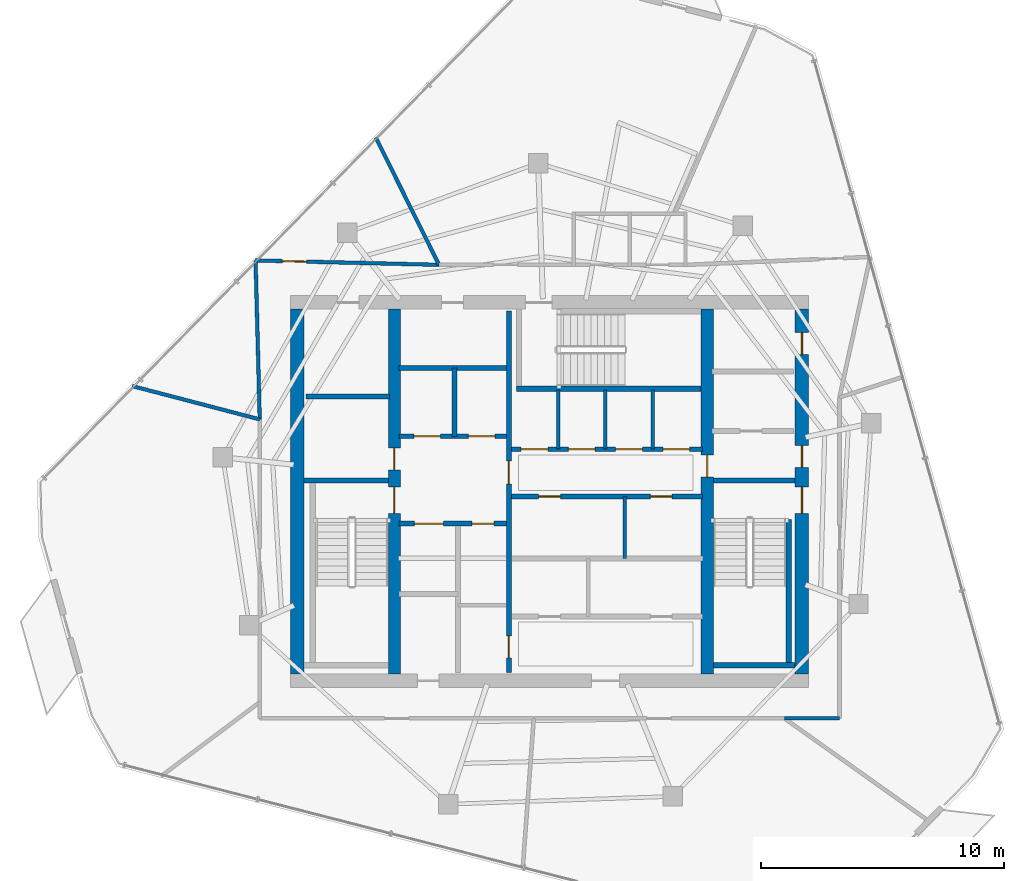
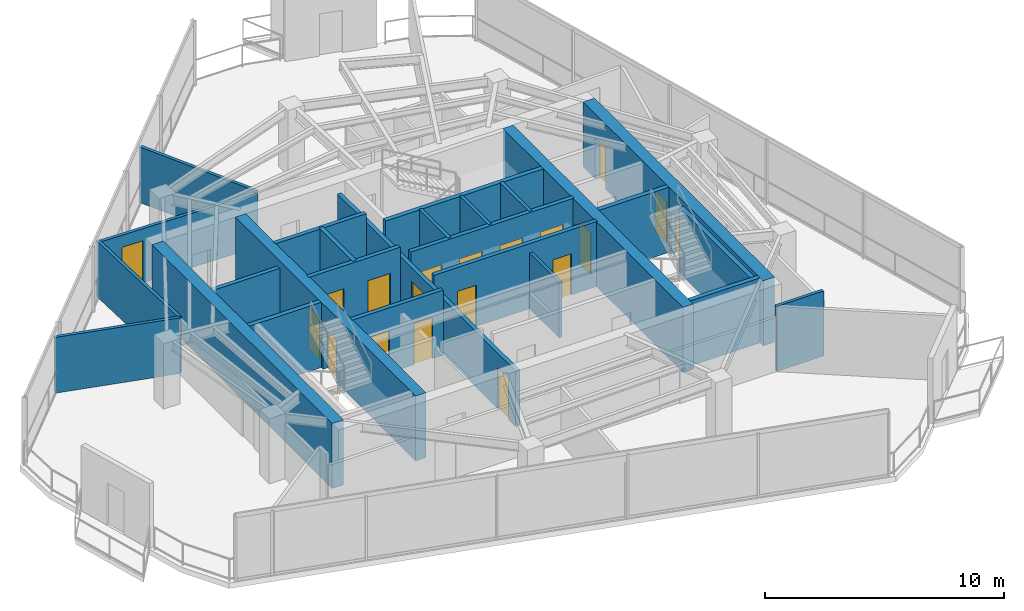
# One storey, part 15 of 18: 26 walls, 19 doors, 19 openings.
"""IFC4 building model written with IfcOpenShell, lengths in metres."""

from ifc_helpers import new_model, si_unit, direction, frame, frame_2d, origin, place, context, subcontext, project, spatial, rectangle, extrude, material, layer, layer_set, type_object, element, fill, save


model = new_model("IFC4")

# Units and contexts
model_context = context("Model", 3, precision=1e-05, world=origin(), true_north=direction((0.0, 1.0)))
body_context = subcontext(model_context, "Body", "Model", "MODEL_VIEW")
ifc_project = project(units=[si_unit("LENGTHUNIT", "METRE"), si_unit("AREAUNIT", "SQUARE_METRE"), si_unit("VOLUMEUNIT", "CUBIC_METRE"), si_unit("PLANEANGLEUNIT", "RADIAN"), si_unit("MASSUNIT", "GRAM", prefix="KILO")], contexts=[model_context])

# Site, building, storey
site_placement = place(None, origin())
site = spatial("IfcSite", under=ifc_project, at=site_placement, CompositionType="ELEMENT")
building_placement = place(site_placement, origin())
building = spatial("IfcBuilding", under=site, at=building_placement, Name="Qarnah Convention Tower", CompositionType="ELEMENT")
storey_placement = place(building_placement, frame((0.0, 0.0, 239.10009765625)))
storey = spatial("IfcBuildingStorey", under=building, at=storey_placement, Name="L64", CompositionType="ELEMENT", Elevation=239.10009765625)

# Wall
ifc_material_1 = material(Name="Concrete C60/75", Category="concrete")
ifc_layer_1 = layer(ifc_material_1, 0.550048828125)
ifc_layer_set_1 = layer_set([ifc_layer_1], Name="Concrete C60/75")
wall_type_1 = type_object("IfcWallType", Name="WL-CORE-550", PredefinedType="SHEAR", material=ifc_layer_set_1)
wall_1_placement = place(storey_placement, frame((26.800048828125, 18.875, 0.0), z_axis=(0.0, 0.0, 1.0), x_axis=(0.0, 1.0, 0.0)))
element("IfcWall", 1, at=wall_1_placement, inside=storey, type_object=wall_type_1, Name="L64 core west shear wall", PredefinedType="SHEAR", context=body_context, shape_type="SweptSolid", body=[
    extrude(rectangle(XDim=15.050048828125, YDim=0.550048828125, at=frame_2d((7.52490234375, 0.0))), origin(), (0.0, 0.0, 1.0), 3.31982421875),
])

# Wall, openings, doors
wall_2_placement = place(storey_placement, frame((47.60009765625, 18.875, 0.0), z_axis=(0.0, 0.0, 1.0), x_axis=(0.0, 1.0, 0.0)))
wall_2 = element("IfcWall", 2, at=wall_2_placement, inside=storey, type_object=wall_type_1, Name="L64 core east shear wall", PredefinedType="SHEAR", context=body_context, shape_type="SweptSolid", body=[
    extrude(rectangle(XDim=15.050048828125, YDim=0.550048828125, at=frame_2d((7.52490234375, 0.0))), origin(), (0.0, 0.0, 1.0), 3.31982421875),
])
opening_1_placement = place(wall_2_placement, frame((6.625, 0.0, 0.0)))
opening_1 = element("IfcOpeningElement", 3, at=opening_1_placement, cuts=wall_2, Name="Opening D-6402", PredefinedType="OPENING", context=body_context, shape_type="SweptSolid", body=[
    extrude(rectangle(XDim=1.10009765625, YDim=2.14990234375, at=frame_2d((0.550048828125, 1.074951171875))), frame((0.0, 0.284912109375, 0.0), z_axis=(0.0, -1.0, 0.0), x_axis=(1.0, 0.0, 0.0)), (0.0, 0.0, 1.0), 0.570068359375),
])
opening_2_placement = place(wall_2_placement, frame((8.52490234375, 0.0, 0.0)))
opening_2 = element("IfcOpeningElement", 4, at=opening_2_placement, cuts=wall_2, Name="Opening D-6406", PredefinedType="OPENING", context=body_context, shape_type="SweptSolid", body=[
    extrude(rectangle(XDim=0.89990234375, YDim=2.10009765625, at=frame_2d((0.449951171875, 1.050048828125))), frame((0.0, 0.284912109375, 0.0), z_axis=(0.0, -1.0, 0.0), x_axis=(1.0, 0.0, 0.0)), (0.0, 0.0, 1.0), 0.570068359375),
])
opening_3_placement = place(wall_2_placement, frame((13.175048828125, 0.0, 0.0)))
opening_3 = element("IfcOpeningElement", 5, at=opening_3_placement, cuts=wall_2, Name="Opening D-6412", PredefinedType="OPENING", context=body_context, shape_type="SweptSolid", body=[
    extrude(rectangle(XDim=0.89990234375, YDim=2.10009765625, at=frame_2d((0.449951171875, 1.050048828125))), frame((0.0, 0.284912109375, 0.0), z_axis=(0.0, -1.0, 0.0), x_axis=(1.0, 0.0, 0.0)), (0.0, 0.0, 1.0), 0.570068359375),
])
ifc_material_2 = material(Name="Structural steel S355JR", Category="steel")
door_type_1 = type_object("IfcDoorType", Name="DT-RISER-900", OperationType="NOTDEFINED", PredefinedType="DOOR", material=ifc_material_2)
door_1_placement = place(opening_2_placement, origin())
door_1 = element("IfcDoor", 6, at=door_1_placement, inside=storey, type_object=door_type_1, Name="Door D-6406", OperationType="SINGLE_SWING_LEFT", OverallHeight=2.10009765625, OverallWidth=0.89990234375, PredefinedType="DOOR", context=body_context, shape_type="SweptSolid", body=[
    extrude(rectangle(XDim=0.89990234375, YDim=2.10009765625, at=frame_2d((0.449951171875, 1.050048828125))), frame((0.0, 0.02490234375, 0.0), z_axis=(0.0, -1.0, 0.0), x_axis=(1.0, 0.0, 0.0)), (0.0, 0.0, 1.0), 0.050048828125),
])
fill(opening_2, door_1)
door_2_placement = place(opening_3_placement, origin())
door_2 = element("IfcDoor", 7, at=door_2_placement, inside=storey, type_object=door_type_1, Name="Door D-6412", OperationType="SINGLE_SWING_LEFT", OverallHeight=2.10009765625, OverallWidth=0.89990234375, PredefinedType="DOOR", context=body_context, shape_type="SweptSolid", body=[
    extrude(rectangle(XDim=0.89990234375, YDim=2.10009765625, at=frame_2d((0.449951171875, 1.050048828125))), frame((0.0, 0.02490234375, 0.0), z_axis=(0.0, -1.0, 0.0), x_axis=(1.0, 0.0, 0.0)), (0.0, 0.0, 1.0), 0.050048828125),
])
fill(opening_3, door_2)
door_type_2 = type_object("IfcDoorType", Name="DT-STAIR-1100", OperationType="NOTDEFINED", PredefinedType="DOOR", material=ifc_material_2)
door_3_placement = place(opening_1_placement, origin())
door_3 = element("IfcDoor", 8, at=door_3_placement, inside=storey, type_object=door_type_2, Name="Door D-6402", OperationType="SINGLE_SWING_LEFT", OverallHeight=2.14990234375, OverallWidth=1.10009765625, PredefinedType="DOOR", context=body_context, shape_type="SweptSolid", body=[
    extrude(rectangle(XDim=1.10009765625, YDim=2.14990234375, at=frame_2d((0.550048828125, 1.074951171875))), frame((0.0, 0.02490234375, 0.0), z_axis=(0.0, -1.0, 0.0), x_axis=(1.0, 0.0, 0.0)), (0.0, 0.0, 1.0), 0.050048828125),
])
fill(opening_1, door_3)

ifc_layer_2 = layer(ifc_material_1, 0.5)
ifc_layer_set_2 = layer_set([ifc_layer_2], Name="Concrete C60/75")
wall_type_2 = type_object("IfcWallType", Name="WL-CORE-INT-400", PredefinedType="SHEAR", material=ifc_layer_set_2)
wall_3_placement = place(storey_placement, frame((30.800048828125, 18.875, 0.0), z_axis=(0.0, 0.0, 1.0), x_axis=(0.0, 1.0, 0.0)))
wall_3 = element("IfcWall", 9, at=wall_3_placement, inside=storey, type_object=wall_type_2, Name="L64 core west spine shear wall", PredefinedType="SHEAR", context=body_context, shape_type="SweptSolid", body=[
    extrude(rectangle(XDim=15.050048828125, YDim=0.5, at=frame_2d((7.52490234375, 0.0))), origin(), (0.0, 0.0, 1.0), 3.31982421875),
])
opening_4_placement = place(wall_3_placement, frame((6.625, 0.0, 0.0)))
opening_4 = element("IfcOpeningElement", 10, at=opening_4_placement, cuts=wall_3, Name="Opening D-6401", PredefinedType="OPENING", context=body_context, shape_type="SweptSolid", body=[
    extrude(rectangle(XDim=1.10009765625, YDim=2.14990234375, at=frame_2d((0.550048828125, 1.074951171875))), frame((0.0, 0.260009765625, 0.0), z_axis=(0.0, -1.0, 0.0), x_axis=(1.0, 0.0, 0.0)), (0.0, 0.0, 1.0), 0.52001953125),
])
opening_5_placement = place(wall_3_placement, frame((8.425048828125, 0.0, 0.0)))
opening_5 = element("IfcOpeningElement", 11, at=opening_5_placement, cuts=wall_3, Name="Opening D-6408", PredefinedType="OPENING", context=body_context, shape_type="SweptSolid", body=[
    extrude(rectangle(XDim=0.89990234375, YDim=2.10009765625, at=frame_2d((0.449951171875, 1.050048828125))), frame((0.0, 0.260009765625, 0.0), z_axis=(0.0, -1.0, 0.0), x_axis=(1.0, 0.0, 0.0)), (0.0, 0.0, 1.0), 0.52001953125),
])
door_4_placement = place(opening_5_placement, origin())
door_4 = element("IfcDoor", 12, at=door_4_placement, inside=storey, type_object=door_type_1, Name="Door D-6408", OperationType="SINGLE_SWING_LEFT", OverallHeight=2.10009765625, OverallWidth=0.89990234375, PredefinedType="DOOR", context=body_context, shape_type="SweptSolid", body=[
    extrude(rectangle(XDim=0.89990234375, YDim=2.10009765625, at=frame_2d((0.449951171875, 1.050048828125))), frame((0.0, 0.02490234375, 0.0), z_axis=(0.0, -1.0, 0.0), x_axis=(1.0, 0.0, 0.0)), (0.0, 0.0, 1.0), 0.050048828125),
])
fill(opening_5, door_4)
door_5_placement = place(opening_4_placement, origin())
door_5 = element("IfcDoor", 13, at=door_5_placement, inside=storey, type_object=door_type_2, Name="Door D-6401", OperationType="SINGLE_SWING_RIGHT", OverallHeight=2.14990234375, OverallWidth=1.10009765625, PredefinedType="DOOR", context=body_context, shape_type="SweptSolid", body=[
    extrude(rectangle(XDim=1.10009765625, YDim=2.14990234375, at=frame_2d((0.550048828125, 1.074951171875))), frame((0.0, 0.02490234375, 0.0), z_axis=(0.0, -1.0, 0.0), x_axis=(1.0, 0.0, 0.0)), (0.0, 0.0, 1.0), 0.050048828125),
])
fill(opening_4, door_5)

# Wall, opening, door
wall_4_placement = place(storey_placement, frame((43.699951171875, 18.875, 0.0), z_axis=(0.0, 0.0, 1.0), x_axis=(0.0, 1.0, 0.0)))
wall_4 = element("IfcWall", 14, at=wall_4_placement, inside=storey, type_object=wall_type_2, Name="L64 core east spine shear wall", PredefinedType="SHEAR", context=body_context, shape_type="SweptSolid", body=[
    extrude(rectangle(XDim=15.050048828125, YDim=0.5, at=frame_2d((7.52490234375, 0.0))), origin(), (0.0, 0.0, 1.0), 3.31982421875),
])
opening_6_placement = place(wall_4_placement, frame((8.125, 0.0, 0.0)))
opening_6 = element("IfcOpeningElement", 15, at=opening_6_placement, cuts=wall_4, Name="Opening D-6405", PredefinedType="OPENING", context=body_context, shape_type="SweptSolid", body=[
    extrude(rectangle(XDim=0.89990234375, YDim=2.10009765625, at=frame_2d((0.449951171875, 1.050048828125))), frame((0.0, 0.260009765625, 0.0), z_axis=(0.0, -1.0, 0.0), x_axis=(1.0, 0.0, 0.0)), (0.0, 0.0, 1.0), 0.52001953125),
])
door_6_placement = place(opening_6_placement, origin())
door_6 = element("IfcDoor", 16, at=door_6_placement, inside=storey, type_object=door_type_1, Name="Door D-6405", OperationType="SINGLE_SWING_RIGHT", OverallHeight=2.10009765625, OverallWidth=0.89990234375, PredefinedType="DOOR", context=body_context, shape_type="SweptSolid", body=[
    extrude(rectangle(XDim=0.89990234375, YDim=2.10009765625, at=frame_2d((0.449951171875, 1.050048828125))), frame((0.0, 0.02490234375, 0.0), z_axis=(0.0, -1.0, 0.0), x_axis=(1.0, 0.0, 0.0)), (0.0, 0.0, 1.0), 0.050048828125),
])
fill(opening_6, door_6)

# Wall
ifc_material_3 = material(Name="Concrete C45/55", Category="concrete")
ifc_layer_3 = layer(ifc_material_3, 0.199951171875)
ifc_layer_set_3 = layer_set([ifc_layer_3], Name="Concrete C45/55")
wall_type_3 = type_object("IfcWallType", Name="WL-CORE-PART-200", PredefinedType="SOLIDWALL", material=ifc_layer_set_3)
wall_5_placement = place(storey_placement, frame((27.14990234375, 30.320068359375, 0.0), z_axis=(0.0, 0.0, 1.0), x_axis=(1.0, 0.0, 0.0)))
element("IfcWall", 17, at=wall_5_placement, inside=storey, type_object=wall_type_3, Name="L64 interior wall IW-L64-ELRN", PredefinedType="SOLIDWALL", context=body_context, shape_type="SweptSolid", body=[
    extrude(rectangle(XDim=3.4501953125, YDim=0.199951171875, at=frame_2d((1.72509765625, 0.0))), origin(), (0.0, 0.0, 1.0), 2.948974609375),
])

# Wall, openings, doors
wall_6_placement = place(storey_placement, frame((35.52001953125, 18.949951171875, 0.0), z_axis=(0.0, 0.0, 1.0), x_axis=(0.0, 1.0, 0.0)))
wall_6 = element("IfcWall", 18, at=wall_6_placement, inside=storey, type_object=wall_type_3, Name="L64 interior wall IW-L64-CSP", PredefinedType="SOLIDWALL", context=body_context, shape_type="SweptSolid", body=[
    extrude(rectangle(XDim=14.900146484375, YDim=0.199951171875, at=frame_2d((7.4501953125, 0.0))), origin(), (0.0, 0.0, 1.0), 2.8408203125),
])
opening_7_placement = place(wall_6_placement, frame((7.7548828125, 0.0, 0.0)))
opening_7 = element("IfcOpeningElement", 19, at=opening_7_placement, cuts=wall_6, Name="Opening D-6404", PredefinedType="OPENING", context=body_context, shape_type="SweptSolid", body=[
    extrude(rectangle(XDim=0.949951171875, YDim=2.14990234375, at=frame_2d((0.47509765625, 1.074951171875))), frame((0.0, 0.10986328125, 0.0), z_axis=(0.0, -1.0, 0.0), x_axis=(1.0, 0.0, 0.0)), (0.0, 0.0, 1.0), 0.219970703125),
])
opening_8_placement = place(wall_6_placement, frame((0.60009765625, 0.0, 0.0)))
opening_8 = element("IfcOpeningElement", 20, at=opening_8_placement, cuts=wall_6, Name="Opening D-6414", PredefinedType="OPENING", context=body_context, shape_type="SweptSolid", body=[
    extrude(rectangle(XDim=0.89990234375, YDim=2.10009765625, at=frame_2d((0.449951171875, 1.050048828125))), frame((0.0, 0.10986328125, 0.0), z_axis=(0.0, -1.0, 0.0), x_axis=(1.0, 0.0, 0.0)), (0.0, 0.0, 1.0), 0.219970703125),
])
ifc_material_4 = material(Name="Oak timber veneer", Category="wood")
door_type_3 = type_object("IfcDoorType", Name="DT-HOTEL-950", OperationType="NOTDEFINED", PredefinedType="DOOR", material=ifc_material_4)
door_7_placement = place(opening_7_placement, origin())
door_7 = element("IfcDoor", 21, at=door_7_placement, inside=storey, type_object=door_type_3, Name="Door D-6404", OperationType="SINGLE_SWING_LEFT", OverallHeight=2.14990234375, OverallWidth=0.949951171875, PredefinedType="DOOR", context=body_context, shape_type="SweptSolid", body=[
    extrude(rectangle(XDim=0.949951171875, YDim=2.14990234375, at=frame_2d((0.47509765625, 1.074951171875))), frame((0.0, 0.02490234375, 0.0), z_axis=(0.0, -1.0, 0.0), x_axis=(1.0, 0.0, 0.0)), (0.0, 0.0, 1.0), 0.050048828125),
])
fill(opening_7, door_7)
door_8_placement = place(opening_8_placement, origin())
door_8 = element("IfcDoor", 22, at=door_8_placement, inside=storey, type_object=door_type_1, Name="Door D-6414", OperationType="SINGLE_SWING_LEFT", OverallHeight=2.10009765625, OverallWidth=0.89990234375, PredefinedType="DOOR", context=body_context, shape_type="SweptSolid", body=[
    extrude(rectangle(XDim=0.89990234375, YDim=2.10009765625, at=frame_2d((0.449951171875, 1.050048828125))), frame((0.0, 0.02490234375, 0.0), z_axis=(0.0, -1.0, 0.0), x_axis=(1.0, 0.0, 0.0)), (0.0, 0.0, 1.0), 0.050048828125),
])
fill(opening_8, door_8)

wall_7_placement = place(storey_placement, frame((31.0, 28.679931640625, 0.0), z_axis=(0.0, 0.0, 1.0), x_axis=(1.0, 0.0, 0.0)))
wall_7 = element("IfcWall", 23, at=wall_7_placement, inside=storey, type_object=wall_type_3, Name="L64 interior wall IW-L64-FFLS", PredefinedType="SOLIDWALL", context=body_context, shape_type="SweptSolid", body=[
    extrude(rectangle(XDim=4.419921875, YDim=0.199951171875, at=frame_2d((2.2099609375, 0.0))), origin(), (0.0, 0.0, 1.0), 3.31982421875),
])
opening_9_placement = place(wall_7_placement, frame((0.60009765625, 0.0, 0.0)))
opening_9 = element("IfcOpeningElement", 24, at=opening_9_placement, cuts=wall_7, Name="Opening LD-6401", PredefinedType="OPENING", context=body_context, shape_type="SweptSolid", body=[
    extrude(rectangle(XDim=1.10009765625, YDim=2.14990234375, at=frame_2d((0.550048828125, 1.074951171875))), frame((0.0, 0.10986328125, 0.0), z_axis=(0.0, -1.0, 0.0), x_axis=(1.0, 0.0, 0.0)), (0.0, 0.0, 1.0), 0.219970703125),
])
opening_10_placement = place(wall_7_placement, frame((2.85009765625, 0.0, 0.0)))
opening_10 = element("IfcOpeningElement", 25, at=opening_10_placement, cuts=wall_7, Name="Opening LD-6402", PredefinedType="OPENING", context=body_context, shape_type="SweptSolid", body=[
    extrude(rectangle(XDim=1.10009765625, YDim=2.14990234375, at=frame_2d((0.550048828125, 1.074951171875))), frame((0.0, 0.10986328125, 0.0), z_axis=(0.0, -1.0, 0.0), x_axis=(1.0, 0.0, 0.0)), (0.0, 0.0, 1.0), 0.219970703125),
])
door_type_4 = type_object("IfcDoorType", Name="DT-LIFT-1100", OperationType="SLIDING_TO_LEFT", PredefinedType="DOOR", material=ifc_material_2)
door_9_placement = place(opening_9_placement, origin())
door_9 = element("IfcDoor", 26, at=door_9_placement, inside=storey, type_object=door_type_4, Name="Door LD-6401", OperationType="SLIDING_TO_LEFT", OverallHeight=2.14990234375, OverallWidth=1.10009765625, PredefinedType="DOOR", context=body_context, shape_type="SweptSolid", body=[
    extrude(rectangle(XDim=1.10009765625, YDim=2.14990234375, at=frame_2d((0.550048828125, 1.074951171875))), frame((0.0, 0.02490234375, 0.0), z_axis=(0.0, -1.0, 0.0), x_axis=(1.0, 0.0, 0.0)), (0.0, 0.0, 1.0), 0.050048828125),
])
fill(opening_9, door_9)
door_10_placement = place(opening_10_placement, origin())
door_10 = element("IfcDoor", 27, at=door_10_placement, inside=storey, type_object=door_type_4, Name="Door LD-6402", OperationType="SLIDING_TO_LEFT", OverallHeight=2.14990234375, OverallWidth=1.10009765625, PredefinedType="DOOR", context=body_context, shape_type="SweptSolid", body=[
    extrude(rectangle(XDim=1.10009765625, YDim=2.14990234375, at=frame_2d((0.550048828125, 1.074951171875))), frame((0.0, 0.02490234375, 0.0), z_axis=(0.0, -1.0, 0.0), x_axis=(1.0, 0.0, 0.0)), (0.0, 0.0, 1.0), 0.050048828125),
])
fill(opening_10, door_10)

# Walls
wall_8_placement = place(storey_placement, frame((31.0, 31.5, 0.0), z_axis=(0.0, 0.0, 1.0), x_axis=(1.0, 0.0, 0.0)))
element("IfcWall", 28, at=wall_8_placement, inside=storey, type_object=wall_type_3, Name="L64 interior wall IW-L64-FFLN", PredefinedType="SOLIDWALL", context=body_context, shape_type="SweptSolid", body=[
    extrude(rectangle(XDim=4.419921875, YDim=0.199951171875, at=frame_2d((2.2099609375, 0.0))), origin(), (0.0, 0.0, 1.0), 3.31982421875),
])
wall_9_placement = place(storey_placement, frame((33.280029296875, 28.679931640625, 0.0), z_axis=(0.0, 0.0, 1.0), x_axis=(0.0, 1.0, 0.0)))
element("IfcWall", 29, at=wall_9_placement, inside=storey, type_object=wall_type_3, Name="L64 interior wall IW-L64-FFLM", PredefinedType="SOLIDWALL", context=body_context, shape_type="SweptSolid", body=[
    extrude(rectangle(XDim=2.820068359375, YDim=0.199951171875, at=frame_2d((1.41015625, 0.0))), origin(), (0.0, 0.0, 1.0), 3.31982421875),
])

# Wall, openings, doors
wall_10_placement = place(storey_placement, frame((31.0, 25.080078125, 0.0), z_axis=(0.0, 0.0, 1.0), x_axis=(1.0, 0.0, 0.0)))
wall_10 = element("IfcWall", 30, at=wall_10_placement, inside=storey, type_object=wall_type_3, Name="L64 interior wall IW-L64-FFLBS", PredefinedType="SOLIDWALL", context=body_context, shape_type="SweptSolid", body=[
    extrude(rectangle(XDim=4.419921875, YDim=0.199951171875, at=frame_2d((2.2099609375, 0.0))), origin(), (0.0, 0.0, 1.0), 3.31982421875),
])
opening_11_placement = place(wall_10_placement, frame((3.0, 0.0, 0.0)))
opening_11 = element("IfcOpeningElement", 31, at=opening_11_placement, cuts=wall_10, Name="Opening D-6415", PredefinedType="OPENING", context=body_context, shape_type="SweptSolid", body=[
    extrude(rectangle(XDim=0.89990234375, YDim=2.10009765625, at=frame_2d((0.449951171875, 1.050048828125))), frame((0.0, 0.10986328125, 0.0), z_axis=(0.0, -1.0, 0.0), x_axis=(1.0, 0.0, 0.0)), (0.0, 0.0, 1.0), 0.219970703125),
])
opening_12_placement = place(wall_10_placement, frame((0.6201171875, 0.0, 0.0)))
opening_12 = element("IfcOpeningElement", 32, at=opening_12_placement, cuts=wall_10, Name="Opening LD-6403", PredefinedType="OPENING", context=body_context, shape_type="SweptSolid", body=[
    extrude(rectangle(XDim=1.199951171875, YDim=2.14990234375, at=frame_2d((0.60009765625, 1.074951171875))), frame((0.0, 0.10986328125, 0.0), z_axis=(0.0, -1.0, 0.0), x_axis=(1.0, 0.0, 0.0)), (0.0, 0.0, 1.0), 0.219970703125),
])
door_type_5 = type_object("IfcDoorType", Name="DT-LIFT-1200", OperationType="SLIDING_TO_LEFT", PredefinedType="DOOR", material=ifc_material_2)
door_11_placement = place(opening_12_placement, origin())
door_11 = element("IfcDoor", 33, at=door_11_placement, inside=storey, type_object=door_type_5, Name="Door LD-6403", OperationType="SLIDING_TO_LEFT", OverallHeight=2.14990234375, OverallWidth=1.199951171875, PredefinedType="DOOR", context=body_context, shape_type="SweptSolid", body=[
    extrude(rectangle(XDim=1.199951171875, YDim=2.14990234375, at=frame_2d((0.60009765625, 1.074951171875))), frame((0.0, 0.02490234375, 0.0), z_axis=(0.0, -1.0, 0.0), x_axis=(1.0, 0.0, 0.0)), (0.0, 0.0, 1.0), 0.050048828125),
])
fill(opening_12, door_11)
door_12_placement = place(opening_11_placement, origin())
door_12 = element("IfcDoor", 34, at=door_12_placement, inside=storey, type_object=door_type_1, Name="Door D-6415", OperationType="SINGLE_SWING_RIGHT", OverallHeight=2.10009765625, OverallWidth=0.89990234375, PredefinedType="DOOR", context=body_context, shape_type="SweptSolid", body=[
    extrude(rectangle(XDim=0.89990234375, YDim=2.10009765625, at=frame_2d((0.449951171875, 1.050048828125))), frame((0.0, 0.02490234375, 0.0), z_axis=(0.0, -1.0, 0.0), x_axis=(1.0, 0.0, 0.0)), (0.0, 0.0, 1.0), 0.050048828125),
])
fill(opening_11, door_12)

wall_11_placement = place(storey_placement, frame((35.6201171875, 28.14990234375, 0.0), z_axis=(0.0, 0.0, 1.0), x_axis=(1.0, 0.0, 0.0)))
wall_11 = element("IfcWall", 35, at=wall_11_placement, inside=storey, type_object=wall_type_3, Name="L64 interior wall IW-L64-PHS", PredefinedType="SOLIDWALL", context=body_context, shape_type="SweptSolid", body=[
    extrude(rectangle(XDim=7.8798828125, YDim=0.199951171875, at=frame_2d((3.93994140625, 0.0))), origin(), (0.0, 0.0, 1.0), 3.31982421875),
])
opening_13_placement = place(wall_11_placement, frame((0.405029296875, 0.0, 0.0)))
opening_13 = element("IfcOpeningElement", 36, at=opening_13_placement, cuts=wall_11, Name="Opening LD-6404", PredefinedType="OPENING", context=body_context, shape_type="SweptSolid", body=[
    extrude(rectangle(XDim=1.10009765625, YDim=2.14990234375, at=frame_2d((0.550048828125, 1.074951171875))), frame((0.0, 0.10986328125, 0.0), z_axis=(0.0, -1.0, 0.0), x_axis=(1.0, 0.0, 0.0)), (0.0, 0.0, 1.0), 0.219970703125),
])
opening_14_placement = place(wall_11_placement, frame((2.35498046875, 0.0, 0.0)))
opening_14 = element("IfcOpeningElement", 37, at=opening_14_placement, cuts=wall_11, Name="Opening LD-6405", PredefinedType="OPENING", context=body_context, shape_type="SweptSolid", body=[
    extrude(rectangle(XDim=1.10009765625, YDim=2.14990234375, at=frame_2d((0.550048828125, 1.074951171875))), frame((0.0, 0.10986328125, 0.0), z_axis=(0.0, -1.0, 0.0), x_axis=(1.0, 0.0, 0.0)), (0.0, 0.0, 1.0), 0.219970703125),
])
opening_15_placement = place(wall_11_placement, frame((4.304931640625, 0.0, 0.0)))
opening_15 = element("IfcOpeningElement", 38, at=opening_15_placement, cuts=wall_11, Name="Opening LD-6406", PredefinedType="OPENING", context=body_context, shape_type="SweptSolid", body=[
    extrude(rectangle(XDim=1.10009765625, YDim=2.14990234375, at=frame_2d((0.550048828125, 1.074951171875))), frame((0.0, 0.10986328125, 0.0), z_axis=(0.0, -1.0, 0.0), x_axis=(1.0, 0.0, 0.0)), (0.0, 0.0, 1.0), 0.219970703125),
])
opening_16_placement = place(wall_11_placement, frame((6.2548828125, 0.0, 0.0)))
opening_16 = element("IfcOpeningElement", 39, at=opening_16_placement, cuts=wall_11, Name="Opening LD-6407", PredefinedType="OPENING", context=body_context, shape_type="SweptSolid", body=[
    extrude(rectangle(XDim=1.10009765625, YDim=2.14990234375, at=frame_2d((0.550048828125, 1.074951171875))), frame((0.0, 0.10986328125, 0.0), z_axis=(0.0, -1.0, 0.0), x_axis=(1.0, 0.0, 0.0)), (0.0, 0.0, 1.0), 0.219970703125),
])
door_13_placement = place(opening_13_placement, origin())
door_13 = element("IfcDoor", 40, at=door_13_placement, inside=storey, type_object=door_type_4, Name="Door LD-6404", OperationType="SLIDING_TO_LEFT", OverallHeight=2.14990234375, OverallWidth=1.10009765625, PredefinedType="DOOR", context=body_context, shape_type="SweptSolid", body=[
    extrude(rectangle(XDim=1.10009765625, YDim=2.14990234375, at=frame_2d((0.550048828125, 1.074951171875))), frame((0.0, 0.02490234375, 0.0), z_axis=(0.0, -1.0, 0.0), x_axis=(1.0, 0.0, 0.0)), (0.0, 0.0, 1.0), 0.050048828125),
])
fill(opening_13, door_13)
door_14_placement = place(opening_14_placement, origin())
door_14 = element("IfcDoor", 41, at=door_14_placement, inside=storey, type_object=door_type_4, Name="Door LD-6405", OperationType="SLIDING_TO_LEFT", OverallHeight=2.14990234375, OverallWidth=1.10009765625, PredefinedType="DOOR", context=body_context, shape_type="SweptSolid", body=[
    extrude(rectangle(XDim=1.10009765625, YDim=2.14990234375, at=frame_2d((0.550048828125, 1.074951171875))), frame((0.0, 0.02490234375, 0.0), z_axis=(0.0, -1.0, 0.0), x_axis=(1.0, 0.0, 0.0)), (0.0, 0.0, 1.0), 0.050048828125),
])
fill(opening_14, door_14)
door_15_placement = place(opening_15_placement, origin())
door_15 = element("IfcDoor", 42, at=door_15_placement, inside=storey, type_object=door_type_4, Name="Door LD-6406", OperationType="SLIDING_TO_LEFT", OverallHeight=2.14990234375, OverallWidth=1.10009765625, PredefinedType="DOOR", context=body_context, shape_type="SweptSolid", body=[
    extrude(rectangle(XDim=1.10009765625, YDim=2.14990234375, at=frame_2d((0.550048828125, 1.074951171875))), frame((0.0, 0.02490234375, 0.0), z_axis=(0.0, -1.0, 0.0), x_axis=(1.0, 0.0, 0.0)), (0.0, 0.0, 1.0), 0.050048828125),
])
fill(opening_15, door_15)
door_16_placement = place(opening_16_placement, origin())
door_16 = element("IfcDoor", 43, at=door_16_placement, inside=storey, type_object=door_type_4, Name="Door LD-6407", OperationType="SLIDING_TO_LEFT", OverallHeight=2.14990234375, OverallWidth=1.10009765625, PredefinedType="DOOR", context=body_context, shape_type="SweptSolid", body=[
    extrude(rectangle(XDim=1.10009765625, YDim=2.14990234375, at=frame_2d((0.550048828125, 1.074951171875))), frame((0.0, 0.02490234375, 0.0), z_axis=(0.0, -1.0, 0.0), x_axis=(1.0, 0.0, 0.0)), (0.0, 0.0, 1.0), 0.050048828125),
])
fill(opening_16, door_16)

wall_12_placement = place(storey_placement, frame((35.6201171875, 26.199951171875, 0.0), z_axis=(0.0, 0.0, 1.0), x_axis=(1.0, 0.0, 0.0)))
wall_12 = element("IfcWall", 44, at=wall_12_placement, inside=storey, type_object=wall_type_3, Name="L64 interior wall IW-L64-PMN", PredefinedType="SOLIDWALL", context=body_context, shape_type="SweptSolid", body=[
    extrude(rectangle(XDim=7.8798828125, YDim=0.199951171875, at=frame_2d((3.93994140625, 0.0))), origin(), (0.0, 0.0, 1.0), 3.31982421875),
])
opening_17_placement = place(wall_12_placement, frame((1.1298828125, 0.0, 0.0)))
opening_17 = element("IfcOpeningElement", 45, at=opening_17_placement, cuts=wall_12, Name="Opening D-6418", PredefinedType="OPENING", context=body_context, shape_type="SweptSolid", body=[
    extrude(rectangle(XDim=0.89990234375, YDim=2.10009765625, at=frame_2d((0.449951171875, 1.050048828125))), frame((0.0, 0.10986328125, 0.0), z_axis=(0.0, -1.0, 0.0), x_axis=(1.0, 0.0, 0.0)), (0.0, 0.0, 1.0), 0.219970703125),
])
opening_18_placement = place(wall_12_placement, frame((5.72998046875, 0.0, 0.0)))
opening_18 = element("IfcOpeningElement", 46, at=opening_18_placement, cuts=wall_12, Name="Opening D-6419", PredefinedType="OPENING", context=body_context, shape_type="SweptSolid", body=[
    extrude(rectangle(XDim=0.89990234375, YDim=2.10009765625, at=frame_2d((0.449951171875, 1.050048828125))), frame((0.0, 0.10986328125, 0.0), z_axis=(0.0, -1.0, 0.0), x_axis=(1.0, 0.0, 0.0)), (0.0, 0.0, 1.0), 0.219970703125),
])
door_17_placement = place(opening_17_placement, origin())
door_17 = element("IfcDoor", 47, at=door_17_placement, inside=storey, type_object=door_type_1, Name="Door D-6418", OperationType="SINGLE_SWING_LEFT", OverallHeight=2.10009765625, OverallWidth=0.89990234375, PredefinedType="DOOR", context=body_context, shape_type="SweptSolid", body=[
    extrude(rectangle(XDim=0.89990234375, YDim=2.10009765625, at=frame_2d((0.449951171875, 1.050048828125))), frame((0.0, 0.02490234375, 0.0), z_axis=(0.0, -1.0, 0.0), x_axis=(1.0, 0.0, 0.0)), (0.0, 0.0, 1.0), 0.050048828125),
])
fill(opening_17, door_17)
door_18_placement = place(opening_18_placement, origin())
door_18 = element("IfcDoor", 48, at=door_18_placement, inside=storey, type_object=door_type_1, Name="Door D-6419", OperationType="SINGLE_SWING_RIGHT", OverallHeight=2.10009765625, OverallWidth=0.89990234375, PredefinedType="DOOR", context=body_context, shape_type="SweptSolid", body=[
    extrude(rectangle(XDim=0.89990234375, YDim=2.10009765625, at=frame_2d((0.449951171875, 1.050048828125))), frame((0.0, 0.02490234375, 0.0), z_axis=(0.0, -1.0, 0.0), x_axis=(1.0, 0.0, 0.0)), (0.0, 0.0, 1.0), 0.050048828125),
])
fill(opening_18, door_18)

# Walls
ifc_layer_4 = layer(ifc_material_1, 0.219970703125)
ifc_layer_set_4 = layer_set([ifc_layer_4], Name="Concrete C60/75")
wall_type_4 = type_object("IfcWallType", Name="WL-CORE-STAIR-220", PredefinedType="SHEAR", material=ifc_layer_set_4)
wall_13_placement = place(storey_placement, frame((27.074951171875, 26.860107421875, 0.0), z_axis=(0.0, 0.0, 1.0), x_axis=(1.0, 0.0, 0.0)))
element("IfcWall", 49, at=wall_13_placement, inside=storey, type_object=wall_type_4, Name="L64 stair shaft shear wall SW-L64-ST1N", PredefinedType="SHEAR", context=body_context, shape_type="SweptSolid", body=[
    extrude(rectangle(XDim=3.47509765625, YDim=0.219970703125, at=frame_2d((1.737548828125, 0.0))), origin(), (0.0, 0.0, 1.0), 3.31982421875),
])
wall_14_placement = place(storey_placement, frame((43.949951171875, 26.860107421875, 0.0), z_axis=(0.0, 0.0, 1.0), x_axis=(1.0, 0.0, 0.0)))
element("IfcWall", 50, at=wall_14_placement, inside=storey, type_object=wall_type_4, Name="L64 stair shaft shear wall SW-L64-ST2N", PredefinedType="SHEAR", context=body_context, shape_type="SweptSolid", body=[
    extrude(rectangle(XDim=3.375, YDim=0.219970703125, at=frame_2d((1.6875, 0.0))), origin(), (0.0, 0.0, 1.0), 3.31982421875),
])
wall_15_placement = place(storey_placement, frame((47.06005859375, 19.35009765625, 0.0), z_axis=(0.0, 0.0, 1.0), x_axis=(0.0, 1.0, 0.0)))
element("IfcWall", 51, at=wall_15_placement, inside=storey, type_object=wall_type_4, Name="L64 stair shaft shear wall SW-L64-ST2E", PredefinedType="SHEAR", context=body_context, shape_type="SweptSolid", body=[
    extrude(rectangle(XDim=5.89990234375, YDim=0.219970703125, at=frame_2d((2.949951171875, 0.0))), origin(), (0.0, 0.0, 1.0), 3.31982421875),
])
wall_16_placement = place(storey_placement, frame((43.949951171875, 19.239990234375, 0.0), z_axis=(0.0, 0.0, 1.0), x_axis=(1.0, 0.0, 0.0)))
element("IfcWall", 52, at=wall_16_placement, inside=storey, type_object=wall_type_4, Name="L64 stair shaft shear wall SW-L64-ST2S", PredefinedType="SHEAR", context=body_context, shape_type="SweptSolid", body=[
    extrude(rectangle(XDim=3.375, YDim=0.219970703125, at=frame_2d((1.6875, 0.0))), origin(), (0.0, 0.0, 1.0), 3.31982421875),
])
wall_17_placement = place(storey_placement, frame((35.840087890625, 30.639892578125, 0.0), z_axis=(0.0, 0.0, 1.0), x_axis=(1.0, 0.0, 0.0)))
element("IfcWall", 53, at=wall_17_placement, inside=storey, type_object=wall_type_4, Name="L64 stair shaft shear wall SW-L64-ST3S", PredefinedType="SHEAR", context=body_context, shape_type="SweptSolid", body=[
    extrude(rectangle(XDim=7.60986328125, YDim=0.219970703125, at=frame_2d((3.804931640625, 0.0))), origin(), (0.0, 0.0, 1.0), 3.31982421875),
])
ifc_material_5 = material(Name="Gypsum partition board")
ifc_layer_5 = layer(ifc_material_5, 0.14990234375)
ifc_layer_set_5 = layer_set([ifc_layer_5], Name="Gypsum partition board")
wall_type_5 = type_object("IfcWallType", Name="WL-SUITE-150", PredefinedType="PARTITIONING", material=ifc_layer_set_5)
for number, where, z_axis, x_axis, name in (
    (54, (37.550048828125, 28.14990234375, 0.0), (0.0, 0.0, 1.0), (0.0, 1.0, 0.0), "L64 interior wall IW-L64-PHD1"),
    (55, (39.5, 28.14990234375, 0.0), (0.0, 0.0, 1.0), (0.0, 1.0, 0.0), "L64 interior wall IW-L64-PHD2"),
    (56, (41.449951171875, 28.14990234375, 0.0), (0.0, 0.0, 1.0), (0.0, 1.0, 0.0), "L64 interior wall IW-L64-PHD3"),
):
    element("IfcWall", number, at=place(storey_placement, frame(where, z_axis=z_axis, x_axis=x_axis)), inside=storey, type_object=wall_type_5, Name=name, PredefinedType="PARTITIONING", context=body_context, shape_type="SweptSolid", body=[
        extrude(rectangle(XDim=2.43017578125, YDim=0.14990234375, at=frame_2d((1.215087890625, 0.0))), origin(), (0.0, 0.0, 1.0), 3.31982421875),
    ])
wall_18_placement = place(storey_placement, frame((40.300048828125, 23.64990234375, 0.0), z_axis=(0.0, 0.0, 1.0), x_axis=(0.0, 1.0, 0.0)))
element("IfcWall", 57, at=wall_18_placement, inside=storey, type_object=wall_type_5, Name="L64 interior wall IW-L64-PMFD", PredefinedType="PARTITIONING", context=body_context, shape_type="SweptSolid", body=[
    extrude(rectangle(XDim=2.550048828125, YDim=0.14990234375, at=frame_2d((1.27490234375, 0.0))), origin(), (0.0, 0.0, 1.0), 2.8408203125),
])
wall_19_placement = place(storey_placement, frame((30.034912109375, 40.998046875, 0.0), z_axis=(0.0, 0.0, 1.0), x_axis=(0.444611540817, -0.895723494039, 0.0)))
element("IfcWall", 58, at=wall_19_placement, inside=storey, type_object=wall_type_5, Name="L64 interior wall IW-L64-R-12", PredefinedType="PARTITIONING", context=body_context, shape_type="SweptSolid", body=[
    extrude(rectangle(XDim=5.85888671875, YDim=0.14990234375, at=frame_2d((2.929443359375, 0.0))), origin(), (0.0, 0.0, 1.0), 2.844970703125),
])
wall_20_placement = place(storey_placement, frame((19.992919921875, 30.751953125, 0.0), z_axis=(0.0, 0.0, 1.0), x_axis=(0.967543747936, -0.252703573046, 0.0)))
element("IfcWall", 59, at=wall_20_placement, inside=storey, type_object=wall_type_5, Name="L64 interior wall IW-L64-R-14", PredefinedType="PARTITIONING", context=body_context, shape_type="SweptSolid", body=[
    extrude(rectangle(XDim=5.433349609375, YDim=0.14990234375, at=frame_2d((2.716796875, 0.0))), origin(), (0.0, 0.0, 1.0), 2.844970703125),
])
wall_21_placement = place(storey_placement, frame((25.25, 29.37890625, 0.0), z_axis=(0.0, 0.0, 1.0), x_axis=(-0.026264554619, 0.999655027082, 0.0)))
element("IfcWall", 60, at=wall_21_placement, inside=storey, type_object=wall_type_5, Name="L64 interior wall IW-L64-R-15", PredefinedType="PARTITIONING", context=body_context, shape_type="SweptSolid", body=[
    extrude(rectangle(XDim=6.55322265625, YDim=0.14990234375, at=frame_2d((3.276611328125, 0.0))), origin(), (0.0, 0.0, 1.0), 2.844970703125),
])

# Wall, opening, door
wall_22_placement = place(storey_placement, frame((25.077880859375, 35.929931640625, 0.0), z_axis=(0.0, 0.0, 1.0), x_axis=(0.99971703936, -0.023787417124, 0.0)))
wall_22 = element("IfcWall", 61, at=wall_22_placement, inside=storey, type_object=wall_type_5, Name="L64 interior wall IW-L64-R-16", PredefinedType="PARTITIONING", context=body_context, shape_type="SweptSolid", body=[
    extrude(rectangle(XDim=7.564208984375, YDim=0.14990234375, at=frame_2d((3.7822265625, 0.0))), origin(), (0.0, 0.0, 1.0), 2.764892578125),
])
opening_19_placement = place(wall_22_placement, frame((1.10888671875, 0.0, 0.0)))
opening_19 = element("IfcOpeningElement", 62, at=opening_19_placement, cuts=wall_22, Name="Opening D-6424", PredefinedType="OPENING", context=body_context, shape_type="SweptSolid", body=[
    extrude(rectangle(XDim=1.0, YDim=2.14990234375, at=frame_2d((0.5, 1.074951171875))), frame((0.0, 0.0849609375, 0.0), z_axis=(0.0, -1.0, 0.0), x_axis=(1.0, 0.0, 0.0)), (0.0, 0.0, 1.0), 0.169921875),
])
door_type_6 = type_object("IfcDoorType", Name="DT-OFFICE-1000", OperationType="NOTDEFINED", PredefinedType="DOOR", material=ifc_material_4)
door_19_placement = place(opening_19_placement, origin())
door_19 = element("IfcDoor", 63, at=door_19_placement, inside=storey, type_object=door_type_6, Name="Door D-6424", OperationType="SINGLE_SWING_LEFT", OverallHeight=2.14990234375, OverallWidth=1.0, PredefinedType="DOOR", context=body_context, shape_type="SweptSolid", body=[
    extrude(rectangle(XDim=1.0, YDim=2.14990234375, at=frame_2d((0.5, 1.074951171875))), frame((0.0, 0.02490234375, 0.0), z_axis=(0.0, -1.0, 0.0), x_axis=(1.0, 0.0, 0.0)), (0.0, 0.0, 1.0), 0.050048828125),
])
fill(opening_19, door_19)

# Wall
wall_23_placement = place(storey_placement, frame((49.14990234375, 17.050048828125, 0.0), z_axis=(0.0, 0.0, 1.0), x_axis=(-1.0, 0.0, 0.0)))
element("IfcWall", 64, at=wall_23_placement, inside=storey, type_object=wall_type_5, Name="L64 interior wall IW-L64-R-25", PredefinedType="PARTITIONING", context=body_context, shape_type="SweptSolid", body=[
    extrude(rectangle(XDim=2.267822265625, YDim=0.14990234375, at=frame_2d((1.1337890625, 0.0))), origin(), (0.0, 0.0, 1.0), 3.31982421875),
])

save(model, "model.ifc")
